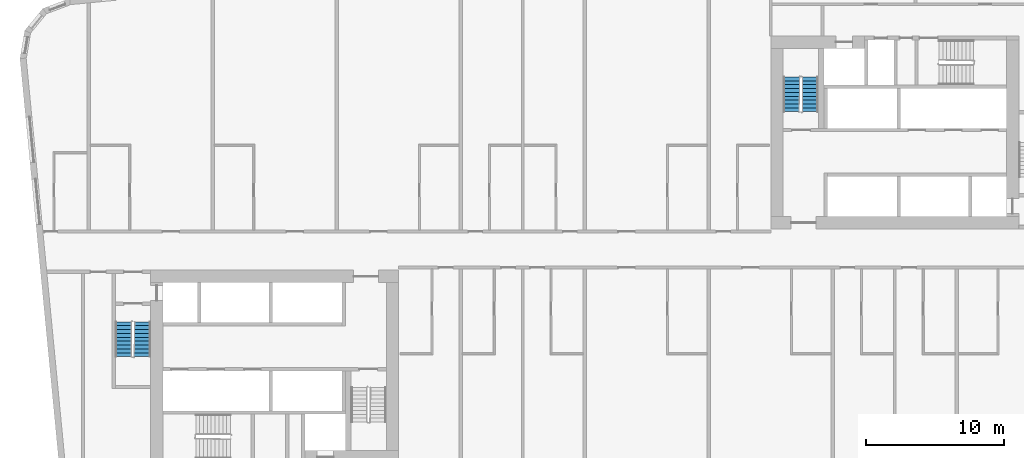
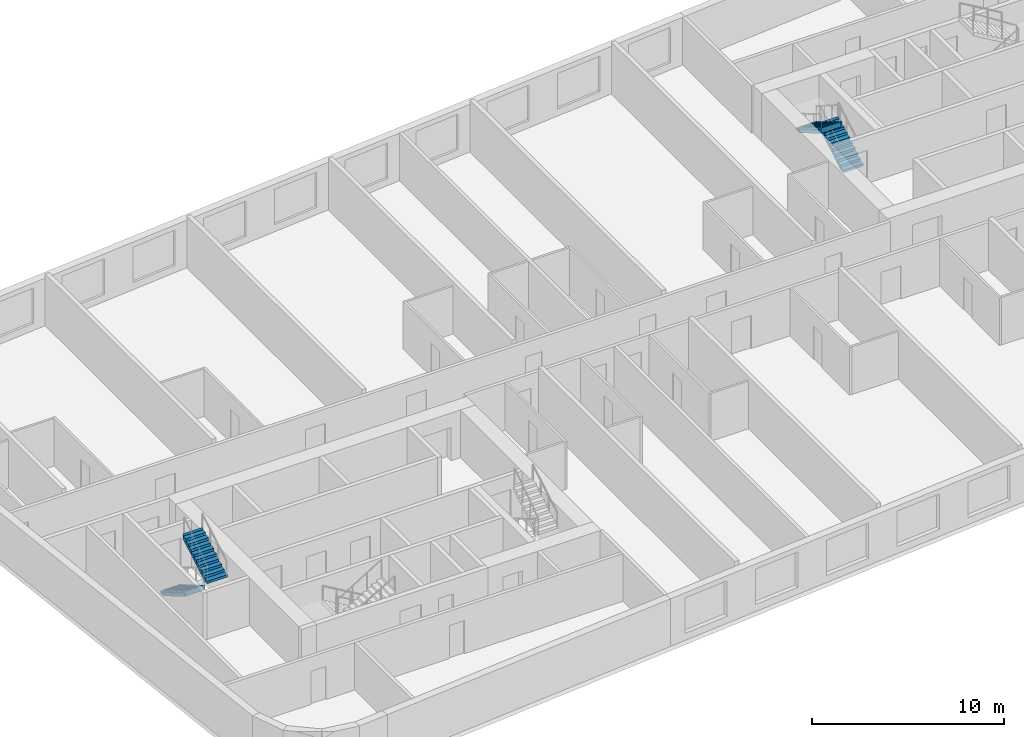
# One storey, part 10 of 12: 4 stair flights, 2 elements without a shape of their own.
"""IFC4 building model written with IfcOpenShell, lengths in metres."""

from ifc_helpers import new_model, si_unit, direction, frame, origin, place, context, subcontext, project, spatial, faceted_brep, material, type_object, element, aggregate, save


model = new_model("IFC4")

# Units and contexts
model_context = context("Model", 3, precision=1e-05, world=origin(), true_north=direction((0.0, 1.0)))
body_context = subcontext(model_context, "Body", "Model", "MODEL_VIEW")
ifc_project = project(units=[si_unit("LENGTHUNIT", "METRE"), si_unit("AREAUNIT", "SQUARE_METRE"), si_unit("VOLUMEUNIT", "CUBIC_METRE"), si_unit("PLANEANGLEUNIT", "RADIAN"), si_unit("MASSUNIT", "GRAM", prefix="KILO")], contexts=[model_context])

# Site, building, storey
site_placement = place(None, origin())
site = spatial("IfcSite", under=ifc_project, at=site_placement, CompositionType="ELEMENT")
building_placement = place(site_placement, origin())
building = spatial("IfcBuilding", under=site, at=building_placement, Name="Kajstack Hotel Tower", CompositionType="ELEMENT")
storey_placement = place(building_placement, frame((0.0, 0.0, 137.199951171875)))
storey = spatial("IfcBuildingStorey", under=building, at=storey_placement, Name="L31", CompositionType="ELEMENT", Elevation=137.199951171875)

# Stair, stair flights
ifc_material = material(Name="Concrete C40/50", Category="concrete")
stair_type = type_object("IfcStairType", Name="Exit stair 1200", PredefinedType="HALF_TURN_STAIR", material=ifc_material)
stair_1_placement = place(storey_placement, origin())
stair_1 = element("IfcStair", 1, at=stair_1_placement, inside=storey, type_object=stair_type, Name="L31 stair W1", PredefinedType="HALF_TURN_STAIR")
stair_flight_type = type_object("IfcStairFlightType", Name="Exit stair flight 1200", PredefinedType="STRAIGHT", material=ifc_material)
stair_flight_1_placement = place(storey_placement, frame((-33.449951171875, -5.25, 0.0), z_axis=(0.0, 0.0, 1.0), x_axis=(0.0, -1.0, 0.0)))
stair_flight_1 = element("IfcStairFlight", 2, at=stair_flight_1_placement, type_object=stair_flight_type, Name="W1 flight 1", NumberOfRisers=10, NumberOfTreads=9, PredefinedType="STRAIGHT", RiserHeight=0.165, TreadLength=0.28, context=body_context, shape_type="Brep", body=[
    faceted_brep([(0.295654296875, -0.60009765625, 0.0), (2.5205078125, -0.60009765625, 1.31103515625), (2.5205078125, -0.60009765625, 1.64990234375), (2.52001953125, -0.60009765625, 1.64990234375), (2.52001953125, -0.60009765625, 1.485107421875), (2.239990234375, -0.60009765625, 1.485107421875), (2.239990234375, -0.60009765625, 1.320068359375), (1.9599609375, -0.60009765625, 1.320068359375), (1.9599609375, -0.60009765625, 1.155029296875), (1.679931640625, -0.60009765625, 1.155029296875), (1.679931640625, -0.60009765625, 0.989990234375), (1.39990234375, -0.60009765625, 0.989990234375), (1.39990234375, -0.60009765625, 0.824951171875), (1.1201171875, -0.60009765625, 0.824951171875), (1.1201171875, -0.60009765625, 0.659912109375), (0.840087890625, -0.60009765625, 0.659912109375), (0.840087890625, -0.60009765625, 0.4951171875), (0.56005859375, -0.60009765625, 0.4951171875), (0.56005859375, -0.60009765625, 0.330078125), (0.280029296875, -0.60009765625, 0.330078125), (0.280029296875, -0.60009765625, 0.1650390625), (-0.00048828125, -0.60009765625, 0.1650390625), (-0.00048828125, -0.60009765625, 0.0), (-0.00048828125, 0.60009765625, 0.0), (-0.00048828125, 0.60009765625, 0.1650390625), (0.280029296875, 0.60009765625, 0.1650390625), (0.280029296875, 0.60009765625, 0.330078125), (0.56005859375, 0.60009765625, 0.330078125), (0.56005859375, 0.60009765625, 0.4951171875), (0.840087890625, 0.60009765625, 0.4951171875), (0.840087890625, 0.60009765625, 0.659912109375), (1.1201171875, 0.60009765625, 0.659912109375), (1.1201171875, 0.60009765625, 0.824951171875), (1.39990234375, 0.60009765625, 0.824951171875), (1.39990234375, 0.60009765625, 0.989990234375), (1.679931640625, 0.60009765625, 0.989990234375), (1.679931640625, 0.60009765625, 1.155029296875), (1.9599609375, 0.60009765625, 1.155029296875), (1.9599609375, 0.60009765625, 1.320068359375), (2.239990234375, 0.60009765625, 1.320068359375), (2.239990234375, 0.60009765625, 1.485107421875), (2.52001953125, 0.60009765625, 1.485107421875), (2.52001953125, 0.60009765625, 1.64990234375), (2.5205078125, 0.60009765625, 1.64990234375), (2.5205078125, 0.60009765625, 1.31103515625), (0.295654296875, 0.60009765625, 0.0), (-0.00048828125, -0.300048828125, 0.1650390625), (-0.00048828125, 0.0, 0.1650390625), (-0.00048828125, 0.300048828125, 0.1650390625), (-0.00048828125, 0.300048828125, 0.0), (-0.00048828125, 0.0, 0.0), (-0.00048828125, -0.300048828125, 0.0), (0.280029296875, -0.300048828125, 0.1650390625), (0.280029296875, 0.0, 0.1650390625), (0.280029296875, 0.300048828125, 0.1650390625), (0.280029296875, -0.300048828125, 0.330078125), (0.280029296875, 0.0, 0.330078125), (0.280029296875, 0.300048828125, 0.330078125), (0.56005859375, -0.300048828125, 0.330078125), (0.56005859375, 0.0, 0.330078125), (0.56005859375, 0.300048828125, 0.330078125), (0.56005859375, -0.300048828125, 0.4951171875), (0.56005859375, 0.0, 0.4951171875), (0.56005859375, 0.300048828125, 0.4951171875), (0.840087890625, -0.300048828125, 0.4951171875), (0.840087890625, 0.0, 0.4951171875), (0.840087890625, 0.300048828125, 0.4951171875), (0.840087890625, -0.300048828125, 0.659912109375), (0.840087890625, 0.0, 0.659912109375), (0.840087890625, 0.300048828125, 0.659912109375), (1.1201171875, -0.300048828125, 0.659912109375), (1.1201171875, 0.0, 0.659912109375), (1.1201171875, 0.300048828125, 0.659912109375), (1.1201171875, -0.300048828125, 0.824951171875), (1.1201171875, 0.0, 0.824951171875), (1.1201171875, 0.300048828125, 0.824951171875), (1.39990234375, -0.300048828125, 0.824951171875), (1.39990234375, 0.0, 0.824951171875), (1.39990234375, 0.300048828125, 0.824951171875), (1.39990234375, -0.300048828125, 0.989990234375), (1.39990234375, 0.0, 0.989990234375), (1.39990234375, 0.300048828125, 0.989990234375), (1.679931640625, -0.300048828125, 0.989990234375), (1.679931640625, 0.0, 0.989990234375), (1.679931640625, 0.300048828125, 0.989990234375), (1.679931640625, -0.300048828125, 1.155029296875), (1.679931640625, 0.0, 1.155029296875), (1.679931640625, 0.300048828125, 1.155029296875), (1.9599609375, -0.300048828125, 1.155029296875), (1.9599609375, 0.0, 1.155029296875), (1.9599609375, 0.300048828125, 1.155029296875), (1.9599609375, -0.300048828125, 1.320068359375), (1.9599609375, 0.0, 1.320068359375), (1.9599609375, 0.300048828125, 1.320068359375), (2.239990234375, -0.300048828125, 1.320068359375), (2.239990234375, 0.0, 1.320068359375), (2.239990234375, 0.300048828125, 1.320068359375), (2.239990234375, -0.300048828125, 1.485107421875), (2.239990234375, 0.0, 1.485107421875), (2.239990234375, 0.300048828125, 1.485107421875), (2.52001953125, -0.300048828125, 1.485107421875), (2.52001953125, 0.0, 1.485107421875), (2.52001953125, 0.300048828125, 1.485107421875), (2.52001953125, -0.300048828125, 1.64990234375), (2.52001953125, 0.0, 1.64990234375), (2.52001953125, 0.300048828125, 1.64990234375), (2.5205078125, -0.300048828125, 1.64990234375), (2.5205078125, 0.0, 1.64990234375), (2.5205078125, 0.300048828125, 1.64990234375), (2.5205078125, -0.300048828125, 1.31103515625), (2.5205078125, 0.0, 1.31103515625), (2.5205078125, 0.300048828125, 1.31103515625), (0.295654296875, -0.300048828125, 0.0), (0.295654296875, 0.0, 0.0), (0.295654296875, 0.300048828125, 0.0)], [[[0, 1, 2, 3, 4, 5, 6, 7, 8, 9, 10, 11, 12, 13, 14, 15, 16, 17, 18, 19, 20, 21, 22]], [[23, 24, 25, 26, 27, 28, 29, 30, 31, 32, 33, 34, 35, 36, 37, 38, 39, 40, 41, 42, 43, 44, 45]], [[21, 46, 47, 48, 24, 23, 49, 50, 51, 22]], [[20, 52, 53, 54, 25, 24, 48, 47, 46, 21]], [[19, 55, 56, 57, 26, 25, 54, 53, 52, 20]], [[18, 58, 59, 60, 27, 26, 57, 56, 55, 19]], [[17, 61, 62, 63, 28, 27, 60, 59, 58, 18]], [[16, 64, 65, 66, 29, 28, 63, 62, 61, 17]], [[15, 67, 68, 69, 30, 29, 66, 65, 64, 16]], [[14, 70, 71, 72, 31, 30, 69, 68, 67, 15]], [[13, 73, 74, 75, 32, 31, 72, 71, 70, 14]], [[12, 76, 77, 78, 33, 32, 75, 74, 73, 13]], [[11, 79, 80, 81, 34, 33, 78, 77, 76, 12]], [[10, 82, 83, 84, 35, 34, 81, 80, 79, 11]], [[9, 85, 86, 87, 36, 35, 84, 83, 82, 10]], [[8, 88, 89, 90, 37, 36, 87, 86, 85, 9]], [[7, 91, 92, 93, 38, 37, 90, 89, 88, 8]], [[6, 94, 95, 96, 39, 38, 93, 92, 91, 7]], [[5, 97, 98, 99, 40, 39, 96, 95, 94, 6]], [[4, 100, 101, 102, 41, 40, 99, 98, 97, 5]], [[3, 103, 104, 105, 42, 41, 102, 101, 100, 4]], [[2, 106, 107, 108, 43, 42, 105, 104, 103, 3]], [[1, 109, 110, 111, 44, 43, 108, 107, 106, 2]], [[0, 112, 113, 114, 45, 44, 111, 110, 109, 1]], [[22, 51, 50, 49, 23, 45, 114, 113, 112, 0]]]),
])
stair_flight_2_placement = place(storey_placement, frame((-32.10009765625, -7.77001953125, 1.650146484375), z_axis=(0.0, 0.0, 1.0), x_axis=(0.0, 1.0, 0.0)))
stair_flight_2 = element("IfcStairFlight", 3, at=stair_flight_2_placement, type_object=stair_flight_type, Name="W1 flight 2", NumberOfRisers=10, NumberOfTreads=9, PredefinedType="STRAIGHT", RiserHeight=0.165, TreadLength=0.28, context=body_context, shape_type="Brep", body=[
    faceted_brep([(0.295654296875, -0.60009765625, 0.0), (2.5205078125, -0.60009765625, 1.31103515625), (2.5205078125, -0.60009765625, 1.64990234375), (2.52001953125, -0.60009765625, 1.64990234375), (2.52001953125, -0.60009765625, 1.485107421875), (2.239990234375, -0.60009765625, 1.485107421875), (2.239990234375, -0.60009765625, 1.320068359375), (1.9599609375, -0.60009765625, 1.320068359375), (1.9599609375, -0.60009765625, 1.155029296875), (1.679931640625, -0.60009765625, 1.155029296875), (1.679931640625, -0.60009765625, 0.989990234375), (1.39990234375, -0.60009765625, 0.989990234375), (1.39990234375, -0.60009765625, 0.824951171875), (1.1201171875, -0.60009765625, 0.824951171875), (1.1201171875, -0.60009765625, 0.659912109375), (0.840087890625, -0.60009765625, 0.659912109375), (0.840087890625, -0.60009765625, 0.4951171875), (0.56005859375, -0.60009765625, 0.4951171875), (0.56005859375, -0.60009765625, 0.330078125), (0.280029296875, -0.60009765625, 0.330078125), (0.280029296875, -0.60009765625, 0.1650390625), (-0.00048828125, -0.60009765625, 0.1650390625), (-0.00048828125, -0.60009765625, 0.0), (-0.00048828125, 0.60009765625, 0.0), (-0.00048828125, 0.60009765625, 0.1650390625), (0.280029296875, 0.60009765625, 0.1650390625), (0.280029296875, 0.60009765625, 0.330078125), (0.56005859375, 0.60009765625, 0.330078125), (0.56005859375, 0.60009765625, 0.4951171875), (0.840087890625, 0.60009765625, 0.4951171875), (0.840087890625, 0.60009765625, 0.659912109375), (1.1201171875, 0.60009765625, 0.659912109375), (1.1201171875, 0.60009765625, 0.824951171875), (1.39990234375, 0.60009765625, 0.824951171875), (1.39990234375, 0.60009765625, 0.989990234375), (1.679931640625, 0.60009765625, 0.989990234375), (1.679931640625, 0.60009765625, 1.155029296875), (1.9599609375, 0.60009765625, 1.155029296875), (1.9599609375, 0.60009765625, 1.320068359375), (2.239990234375, 0.60009765625, 1.320068359375), (2.239990234375, 0.60009765625, 1.485107421875), (2.52001953125, 0.60009765625, 1.485107421875), (2.52001953125, 0.60009765625, 1.64990234375), (2.5205078125, 0.60009765625, 1.64990234375), (2.5205078125, 0.60009765625, 1.31103515625), (0.295654296875, 0.60009765625, 0.0), (-0.00048828125, -0.300048828125, 0.1650390625), (-0.00048828125, 0.0, 0.1650390625), (-0.00048828125, 0.300048828125, 0.1650390625), (-0.00048828125, 0.300048828125, 0.0), (-0.00048828125, 0.0, 0.0), (-0.00048828125, -0.300048828125, 0.0), (0.280029296875, -0.300048828125, 0.1650390625), (0.280029296875, 0.0, 0.1650390625), (0.280029296875, 0.300048828125, 0.1650390625), (0.280029296875, -0.300048828125, 0.330078125), (0.280029296875, 0.0, 0.330078125), (0.280029296875, 0.300048828125, 0.330078125), (0.56005859375, -0.300048828125, 0.330078125), (0.56005859375, 0.0, 0.330078125), (0.56005859375, 0.300048828125, 0.330078125), (0.56005859375, -0.300048828125, 0.4951171875), (0.56005859375, 0.0, 0.4951171875), (0.56005859375, 0.300048828125, 0.4951171875), (0.840087890625, -0.300048828125, 0.4951171875), (0.840087890625, 0.0, 0.4951171875), (0.840087890625, 0.300048828125, 0.4951171875), (0.840087890625, -0.300048828125, 0.659912109375), (0.840087890625, 0.0, 0.659912109375), (0.840087890625, 0.300048828125, 0.659912109375), (1.1201171875, -0.300048828125, 0.659912109375), (1.1201171875, 0.0, 0.659912109375), (1.1201171875, 0.300048828125, 0.659912109375), (1.1201171875, -0.300048828125, 0.824951171875), (1.1201171875, 0.0, 0.824951171875), (1.1201171875, 0.300048828125, 0.824951171875), (1.39990234375, -0.300048828125, 0.824951171875), (1.39990234375, 0.0, 0.824951171875), (1.39990234375, 0.300048828125, 0.824951171875), (1.39990234375, -0.300048828125, 0.989990234375), (1.39990234375, 0.0, 0.989990234375), (1.39990234375, 0.300048828125, 0.989990234375), (1.679931640625, -0.300048828125, 0.989990234375), (1.679931640625, 0.0, 0.989990234375), (1.679931640625, 0.300048828125, 0.989990234375), (1.679931640625, -0.300048828125, 1.155029296875), (1.679931640625, 0.0, 1.155029296875), (1.679931640625, 0.300048828125, 1.155029296875), (1.9599609375, -0.300048828125, 1.155029296875), (1.9599609375, 0.0, 1.155029296875), (1.9599609375, 0.300048828125, 1.155029296875), (1.9599609375, -0.300048828125, 1.320068359375), (1.9599609375, 0.0, 1.320068359375), (1.9599609375, 0.300048828125, 1.320068359375), (2.239990234375, -0.300048828125, 1.320068359375), (2.239990234375, 0.0, 1.320068359375), (2.239990234375, 0.300048828125, 1.320068359375), (2.239990234375, -0.300048828125, 1.485107421875), (2.239990234375, 0.0, 1.485107421875), (2.239990234375, 0.300048828125, 1.485107421875), (2.52001953125, -0.300048828125, 1.485107421875), (2.52001953125, 0.0, 1.485107421875), (2.52001953125, 0.300048828125, 1.485107421875), (2.52001953125, -0.300048828125, 1.64990234375), (2.52001953125, 0.0, 1.64990234375), (2.52001953125, 0.300048828125, 1.64990234375), (2.5205078125, -0.300048828125, 1.64990234375), (2.5205078125, 0.0, 1.64990234375), (2.5205078125, 0.300048828125, 1.64990234375), (2.5205078125, -0.300048828125, 1.31103515625), (2.5205078125, 0.0, 1.31103515625), (2.5205078125, 0.300048828125, 1.31103515625), (0.295654296875, -0.300048828125, 0.0), (0.295654296875, 0.0, 0.0), (0.295654296875, 0.300048828125, 0.0)], [[[0, 1, 2, 3, 4, 5, 6, 7, 8, 9, 10, 11, 12, 13, 14, 15, 16, 17, 18, 19, 20, 21, 22]], [[23, 24, 25, 26, 27, 28, 29, 30, 31, 32, 33, 34, 35, 36, 37, 38, 39, 40, 41, 42, 43, 44, 45]], [[21, 46, 47, 48, 24, 23, 49, 50, 51, 22]], [[20, 52, 53, 54, 25, 24, 48, 47, 46, 21]], [[19, 55, 56, 57, 26, 25, 54, 53, 52, 20]], [[18, 58, 59, 60, 27, 26, 57, 56, 55, 19]], [[17, 61, 62, 63, 28, 27, 60, 59, 58, 18]], [[16, 64, 65, 66, 29, 28, 63, 62, 61, 17]], [[15, 67, 68, 69, 30, 29, 66, 65, 64, 16]], [[14, 70, 71, 72, 31, 30, 69, 68, 67, 15]], [[13, 73, 74, 75, 32, 31, 72, 71, 70, 14]], [[12, 76, 77, 78, 33, 32, 75, 74, 73, 13]], [[11, 79, 80, 81, 34, 33, 78, 77, 76, 12]], [[10, 82, 83, 84, 35, 34, 81, 80, 79, 11]], [[9, 85, 86, 87, 36, 35, 84, 83, 82, 10]], [[8, 88, 89, 90, 37, 36, 87, 86, 85, 9]], [[7, 91, 92, 93, 38, 37, 90, 89, 88, 8]], [[6, 94, 95, 96, 39, 38, 93, 92, 91, 7]], [[5, 97, 98, 99, 40, 39, 96, 95, 94, 6]], [[4, 100, 101, 102, 41, 40, 99, 98, 97, 5]], [[3, 103, 104, 105, 42, 41, 102, 101, 100, 4]], [[2, 106, 107, 108, 43, 42, 105, 104, 103, 3]], [[1, 109, 110, 111, 44, 43, 108, 107, 106, 2]], [[0, 112, 113, 114, 45, 44, 111, 110, 109, 1]], [[22, 51, 50, 49, 23, 45, 114, 113, 112, 0]]]),
])
aggregate(stair_1, [stair_flight_1, stair_flight_2])

stair_2_placement = place(storey_placement, origin())
stair_2 = element("IfcStair", 4, at=stair_2_placement, inside=storey, type_object=stair_type, Name="L31 stair E2", PredefinedType="HALF_TURN_STAIR")
stair_flight_3_placement = place(storey_placement, frame((16.35009765625, 10.0, 0.0), z_axis=(0.0, 0.0, 1.0), x_axis=(0.0, 1.0, 0.0)))
stair_flight_3 = element("IfcStairFlight", 5, at=stair_flight_3_placement, type_object=stair_flight_type, Name="E2 flight 1", NumberOfRisers=10, NumberOfTreads=9, PredefinedType="STRAIGHT", RiserHeight=0.165, TreadLength=0.28, context=body_context, shape_type="Brep", body=[
    faceted_brep([(0.295654296875, -0.60009765625, 0.0), (2.5205078125, -0.60009765625, 1.31103515625), (2.5205078125, -0.60009765625, 1.64990234375), (2.52001953125, -0.60009765625, 1.64990234375), (2.52001953125, -0.60009765625, 1.485107421875), (2.239990234375, -0.60009765625, 1.485107421875), (2.239990234375, -0.60009765625, 1.320068359375), (1.9599609375, -0.60009765625, 1.320068359375), (1.9599609375, -0.60009765625, 1.155029296875), (1.679931640625, -0.60009765625, 1.155029296875), (1.679931640625, -0.60009765625, 0.989990234375), (1.39990234375, -0.60009765625, 0.989990234375), (1.39990234375, -0.60009765625, 0.824951171875), (1.1201171875, -0.60009765625, 0.824951171875), (1.1201171875, -0.60009765625, 0.659912109375), (0.840087890625, -0.60009765625, 0.659912109375), (0.840087890625, -0.60009765625, 0.4951171875), (0.56005859375, -0.60009765625, 0.4951171875), (0.56005859375, -0.60009765625, 0.330078125), (0.280029296875, -0.60009765625, 0.330078125), (0.280029296875, -0.60009765625, 0.1650390625), (-0.00048828125, -0.60009765625, 0.1650390625), (-0.00048828125, -0.60009765625, 0.0), (-0.00048828125, 0.60009765625, 0.0), (-0.00048828125, 0.60009765625, 0.1650390625), (0.280029296875, 0.60009765625, 0.1650390625), (0.280029296875, 0.60009765625, 0.330078125), (0.56005859375, 0.60009765625, 0.330078125), (0.56005859375, 0.60009765625, 0.4951171875), (0.840087890625, 0.60009765625, 0.4951171875), (0.840087890625, 0.60009765625, 0.659912109375), (1.1201171875, 0.60009765625, 0.659912109375), (1.1201171875, 0.60009765625, 0.824951171875), (1.39990234375, 0.60009765625, 0.824951171875), (1.39990234375, 0.60009765625, 0.989990234375), (1.679931640625, 0.60009765625, 0.989990234375), (1.679931640625, 0.60009765625, 1.155029296875), (1.9599609375, 0.60009765625, 1.155029296875), (1.9599609375, 0.60009765625, 1.320068359375), (2.239990234375, 0.60009765625, 1.320068359375), (2.239990234375, 0.60009765625, 1.485107421875), (2.52001953125, 0.60009765625, 1.485107421875), (2.52001953125, 0.60009765625, 1.64990234375), (2.5205078125, 0.60009765625, 1.64990234375), (2.5205078125, 0.60009765625, 1.31103515625), (0.295654296875, 0.60009765625, 0.0), (-0.00048828125, -0.300048828125, 0.1650390625), (-0.00048828125, 0.0, 0.1650390625), (-0.00048828125, 0.300048828125, 0.1650390625), (-0.00048828125, 0.300048828125, 0.0), (-0.00048828125, 0.0, 0.0), (-0.00048828125, -0.300048828125, 0.0), (0.280029296875, -0.300048828125, 0.1650390625), (0.280029296875, 0.0, 0.1650390625), (0.280029296875, 0.300048828125, 0.1650390625), (0.280029296875, -0.300048828125, 0.330078125), (0.280029296875, 0.0, 0.330078125), (0.280029296875, 0.300048828125, 0.330078125), (0.56005859375, -0.300048828125, 0.330078125), (0.56005859375, 0.0, 0.330078125), (0.56005859375, 0.300048828125, 0.330078125), (0.56005859375, -0.300048828125, 0.4951171875), (0.56005859375, 0.0, 0.4951171875), (0.56005859375, 0.300048828125, 0.4951171875), (0.840087890625, -0.300048828125, 0.4951171875), (0.840087890625, 0.0, 0.4951171875), (0.840087890625, 0.300048828125, 0.4951171875), (0.840087890625, -0.300048828125, 0.659912109375), (0.840087890625, 0.0, 0.659912109375), (0.840087890625, 0.300048828125, 0.659912109375), (1.1201171875, -0.300048828125, 0.659912109375), (1.1201171875, 0.0, 0.659912109375), (1.1201171875, 0.300048828125, 0.659912109375), (1.1201171875, -0.300048828125, 0.824951171875), (1.1201171875, 0.0, 0.824951171875), (1.1201171875, 0.300048828125, 0.824951171875), (1.39990234375, -0.300048828125, 0.824951171875), (1.39990234375, 0.0, 0.824951171875), (1.39990234375, 0.300048828125, 0.824951171875), (1.39990234375, -0.300048828125, 0.989990234375), (1.39990234375, 0.0, 0.989990234375), (1.39990234375, 0.300048828125, 0.989990234375), (1.679931640625, -0.300048828125, 0.989990234375), (1.679931640625, 0.0, 0.989990234375), (1.679931640625, 0.300048828125, 0.989990234375), (1.679931640625, -0.300048828125, 1.155029296875), (1.679931640625, 0.0, 1.155029296875), (1.679931640625, 0.300048828125, 1.155029296875), (1.9599609375, -0.300048828125, 1.155029296875), (1.9599609375, 0.0, 1.155029296875), (1.9599609375, 0.300048828125, 1.155029296875), (1.9599609375, -0.300048828125, 1.320068359375), (1.9599609375, 0.0, 1.320068359375), (1.9599609375, 0.300048828125, 1.320068359375), (2.239990234375, -0.300048828125, 1.320068359375), (2.239990234375, 0.0, 1.320068359375), (2.239990234375, 0.300048828125, 1.320068359375), (2.239990234375, -0.300048828125, 1.485107421875), (2.239990234375, 0.0, 1.485107421875), (2.239990234375, 0.300048828125, 1.485107421875), (2.52001953125, -0.300048828125, 1.485107421875), (2.52001953125, 0.0, 1.485107421875), (2.52001953125, 0.300048828125, 1.485107421875), (2.52001953125, -0.300048828125, 1.64990234375), (2.52001953125, 0.0, 1.64990234375), (2.52001953125, 0.300048828125, 1.64990234375), (2.5205078125, -0.300048828125, 1.64990234375), (2.5205078125, 0.0, 1.64990234375), (2.5205078125, 0.300048828125, 1.64990234375), (2.5205078125, -0.300048828125, 1.31103515625), (2.5205078125, 0.0, 1.31103515625), (2.5205078125, 0.300048828125, 1.31103515625), (0.295654296875, -0.300048828125, 0.0), (0.295654296875, 0.0, 0.0), (0.295654296875, 0.300048828125, 0.0)], [[[0, 1, 2, 3, 4, 5, 6, 7, 8, 9, 10, 11, 12, 13, 14, 15, 16, 17, 18, 19, 20, 21, 22]], [[23, 24, 25, 26, 27, 28, 29, 30, 31, 32, 33, 34, 35, 36, 37, 38, 39, 40, 41, 42, 43, 44, 45]], [[21, 46, 47, 48, 24, 23, 49, 50, 51, 22]], [[20, 52, 53, 54, 25, 24, 48, 47, 46, 21]], [[19, 55, 56, 57, 26, 25, 54, 53, 52, 20]], [[18, 58, 59, 60, 27, 26, 57, 56, 55, 19]], [[17, 61, 62, 63, 28, 27, 60, 59, 58, 18]], [[16, 64, 65, 66, 29, 28, 63, 62, 61, 17]], [[15, 67, 68, 69, 30, 29, 66, 65, 64, 16]], [[14, 70, 71, 72, 31, 30, 69, 68, 67, 15]], [[13, 73, 74, 75, 32, 31, 72, 71, 70, 14]], [[12, 76, 77, 78, 33, 32, 75, 74, 73, 13]], [[11, 79, 80, 81, 34, 33, 78, 77, 76, 12]], [[10, 82, 83, 84, 35, 34, 81, 80, 79, 11]], [[9, 85, 86, 87, 36, 35, 84, 83, 82, 10]], [[8, 88, 89, 90, 37, 36, 87, 86, 85, 9]], [[7, 91, 92, 93, 38, 37, 90, 89, 88, 8]], [[6, 94, 95, 96, 39, 38, 93, 92, 91, 7]], [[5, 97, 98, 99, 40, 39, 96, 95, 94, 6]], [[4, 100, 101, 102, 41, 40, 99, 98, 97, 5]], [[3, 103, 104, 105, 42, 41, 102, 101, 100, 4]], [[2, 106, 107, 108, 43, 42, 105, 104, 103, 3]], [[1, 109, 110, 111, 44, 43, 108, 107, 106, 2]], [[0, 112, 113, 114, 45, 44, 111, 110, 109, 1]], [[22, 51, 50, 49, 23, 45, 114, 113, 112, 0]]]),
])
stair_flight_4_placement = place(storey_placement, frame((15.0, 12.52001953125, 1.650146484375), z_axis=(0.0, 0.0, 1.0), x_axis=(0.0, -1.0, 0.0)))
stair_flight_4 = element("IfcStairFlight", 6, at=stair_flight_4_placement, type_object=stair_flight_type, Name="E2 flight 2", NumberOfRisers=10, NumberOfTreads=9, PredefinedType="STRAIGHT", RiserHeight=0.165, TreadLength=0.28, context=body_context, shape_type="Brep", body=[
    faceted_brep([(0.295654296875, -0.60009765625, 0.0), (2.5205078125, -0.60009765625, 1.31103515625), (2.5205078125, -0.60009765625, 1.64990234375), (2.52001953125, -0.60009765625, 1.64990234375), (2.52001953125, -0.60009765625, 1.485107421875), (2.239990234375, -0.60009765625, 1.485107421875), (2.239990234375, -0.60009765625, 1.320068359375), (1.9599609375, -0.60009765625, 1.320068359375), (1.9599609375, -0.60009765625, 1.155029296875), (1.679931640625, -0.60009765625, 1.155029296875), (1.679931640625, -0.60009765625, 0.989990234375), (1.39990234375, -0.60009765625, 0.989990234375), (1.39990234375, -0.60009765625, 0.824951171875), (1.1201171875, -0.60009765625, 0.824951171875), (1.1201171875, -0.60009765625, 0.659912109375), (0.840087890625, -0.60009765625, 0.659912109375), (0.840087890625, -0.60009765625, 0.4951171875), (0.56005859375, -0.60009765625, 0.4951171875), (0.56005859375, -0.60009765625, 0.330078125), (0.280029296875, -0.60009765625, 0.330078125), (0.280029296875, -0.60009765625, 0.1650390625), (-0.00048828125, -0.60009765625, 0.1650390625), (-0.00048828125, -0.60009765625, 0.0), (-0.00048828125, 0.60009765625, 0.0), (-0.00048828125, 0.60009765625, 0.1650390625), (0.280029296875, 0.60009765625, 0.1650390625), (0.280029296875, 0.60009765625, 0.330078125), (0.56005859375, 0.60009765625, 0.330078125), (0.56005859375, 0.60009765625, 0.4951171875), (0.840087890625, 0.60009765625, 0.4951171875), (0.840087890625, 0.60009765625, 0.659912109375), (1.1201171875, 0.60009765625, 0.659912109375), (1.1201171875, 0.60009765625, 0.824951171875), (1.39990234375, 0.60009765625, 0.824951171875), (1.39990234375, 0.60009765625, 0.989990234375), (1.679931640625, 0.60009765625, 0.989990234375), (1.679931640625, 0.60009765625, 1.155029296875), (1.9599609375, 0.60009765625, 1.155029296875), (1.9599609375, 0.60009765625, 1.320068359375), (2.239990234375, 0.60009765625, 1.320068359375), (2.239990234375, 0.60009765625, 1.485107421875), (2.52001953125, 0.60009765625, 1.485107421875), (2.52001953125, 0.60009765625, 1.64990234375), (2.5205078125, 0.60009765625, 1.64990234375), (2.5205078125, 0.60009765625, 1.31103515625), (0.295654296875, 0.60009765625, 0.0), (-0.00048828125, -0.300048828125, 0.1650390625), (-0.00048828125, 0.0, 0.1650390625), (-0.00048828125, 0.300048828125, 0.1650390625), (-0.00048828125, 0.300048828125, 0.0), (-0.00048828125, 0.0, 0.0), (-0.00048828125, -0.300048828125, 0.0), (0.280029296875, -0.300048828125, 0.1650390625), (0.280029296875, 0.0, 0.1650390625), (0.280029296875, 0.300048828125, 0.1650390625), (0.280029296875, -0.300048828125, 0.330078125), (0.280029296875, 0.0, 0.330078125), (0.280029296875, 0.300048828125, 0.330078125), (0.56005859375, -0.300048828125, 0.330078125), (0.56005859375, 0.0, 0.330078125), (0.56005859375, 0.300048828125, 0.330078125), (0.56005859375, -0.300048828125, 0.4951171875), (0.56005859375, 0.0, 0.4951171875), (0.56005859375, 0.300048828125, 0.4951171875), (0.840087890625, -0.300048828125, 0.4951171875), (0.840087890625, 0.0, 0.4951171875), (0.840087890625, 0.300048828125, 0.4951171875), (0.840087890625, -0.300048828125, 0.659912109375), (0.840087890625, 0.0, 0.659912109375), (0.840087890625, 0.300048828125, 0.659912109375), (1.1201171875, -0.300048828125, 0.659912109375), (1.1201171875, 0.0, 0.659912109375), (1.1201171875, 0.300048828125, 0.659912109375), (1.1201171875, -0.300048828125, 0.824951171875), (1.1201171875, 0.0, 0.824951171875), (1.1201171875, 0.300048828125, 0.824951171875), (1.39990234375, -0.300048828125, 0.824951171875), (1.39990234375, 0.0, 0.824951171875), (1.39990234375, 0.300048828125, 0.824951171875), (1.39990234375, -0.300048828125, 0.989990234375), (1.39990234375, 0.0, 0.989990234375), (1.39990234375, 0.300048828125, 0.989990234375), (1.679931640625, -0.300048828125, 0.989990234375), (1.679931640625, 0.0, 0.989990234375), (1.679931640625, 0.300048828125, 0.989990234375), (1.679931640625, -0.300048828125, 1.155029296875), (1.679931640625, 0.0, 1.155029296875), (1.679931640625, 0.300048828125, 1.155029296875), (1.9599609375, -0.300048828125, 1.155029296875), (1.9599609375, 0.0, 1.155029296875), (1.9599609375, 0.300048828125, 1.155029296875), (1.9599609375, -0.300048828125, 1.320068359375), (1.9599609375, 0.0, 1.320068359375), (1.9599609375, 0.300048828125, 1.320068359375), (2.239990234375, -0.300048828125, 1.320068359375), (2.239990234375, 0.0, 1.320068359375), (2.239990234375, 0.300048828125, 1.320068359375), (2.239990234375, -0.300048828125, 1.485107421875), (2.239990234375, 0.0, 1.485107421875), (2.239990234375, 0.300048828125, 1.485107421875), (2.52001953125, -0.300048828125, 1.485107421875), (2.52001953125, 0.0, 1.485107421875), (2.52001953125, 0.300048828125, 1.485107421875), (2.52001953125, -0.300048828125, 1.64990234375), (2.52001953125, 0.0, 1.64990234375), (2.52001953125, 0.300048828125, 1.64990234375), (2.5205078125, -0.300048828125, 1.64990234375), (2.5205078125, 0.0, 1.64990234375), (2.5205078125, 0.300048828125, 1.64990234375), (2.5205078125, -0.300048828125, 1.31103515625), (2.5205078125, 0.0, 1.31103515625), (2.5205078125, 0.300048828125, 1.31103515625), (0.295654296875, -0.300048828125, 0.0), (0.295654296875, 0.0, 0.0), (0.295654296875, 0.300048828125, 0.0)], [[[0, 1, 2, 3, 4, 5, 6, 7, 8, 9, 10, 11, 12, 13, 14, 15, 16, 17, 18, 19, 20, 21, 22]], [[23, 24, 25, 26, 27, 28, 29, 30, 31, 32, 33, 34, 35, 36, 37, 38, 39, 40, 41, 42, 43, 44, 45]], [[21, 46, 47, 48, 24, 23, 49, 50, 51, 22]], [[20, 52, 53, 54, 25, 24, 48, 47, 46, 21]], [[19, 55, 56, 57, 26, 25, 54, 53, 52, 20]], [[18, 58, 59, 60, 27, 26, 57, 56, 55, 19]], [[17, 61, 62, 63, 28, 27, 60, 59, 58, 18]], [[16, 64, 65, 66, 29, 28, 63, 62, 61, 17]], [[15, 67, 68, 69, 30, 29, 66, 65, 64, 16]], [[14, 70, 71, 72, 31, 30, 69, 68, 67, 15]], [[13, 73, 74, 75, 32, 31, 72, 71, 70, 14]], [[12, 76, 77, 78, 33, 32, 75, 74, 73, 13]], [[11, 79, 80, 81, 34, 33, 78, 77, 76, 12]], [[10, 82, 83, 84, 35, 34, 81, 80, 79, 11]], [[9, 85, 86, 87, 36, 35, 84, 83, 82, 10]], [[8, 88, 89, 90, 37, 36, 87, 86, 85, 9]], [[7, 91, 92, 93, 38, 37, 90, 89, 88, 8]], [[6, 94, 95, 96, 39, 38, 93, 92, 91, 7]], [[5, 97, 98, 99, 40, 39, 96, 95, 94, 6]], [[4, 100, 101, 102, 41, 40, 99, 98, 97, 5]], [[3, 103, 104, 105, 42, 41, 102, 101, 100, 4]], [[2, 106, 107, 108, 43, 42, 105, 104, 103, 3]], [[1, 109, 110, 111, 44, 43, 108, 107, 106, 2]], [[0, 112, 113, 114, 45, 44, 111, 110, 109, 1]], [[22, 51, 50, 49, 23, 45, 114, 113, 112, 0]]]),
])
aggregate(stair_2, [stair_flight_3, stair_flight_4])

save(model, "model.ifc")
